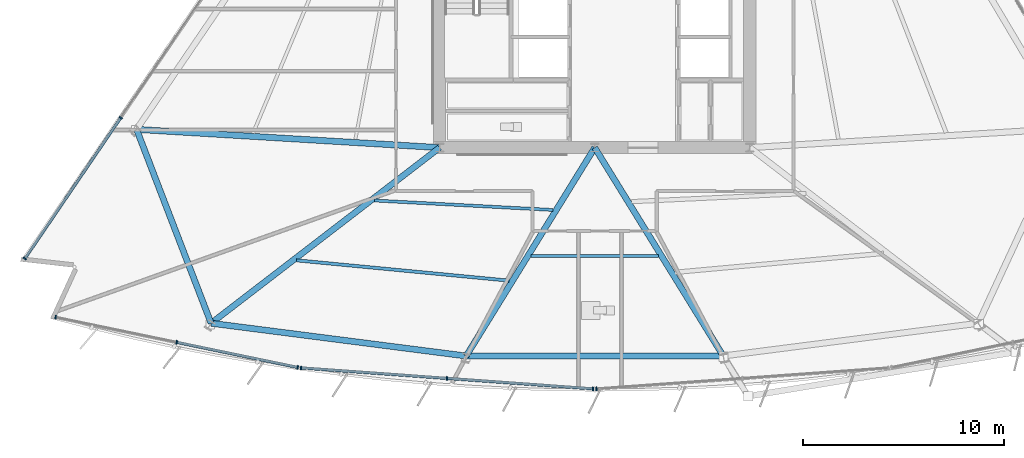
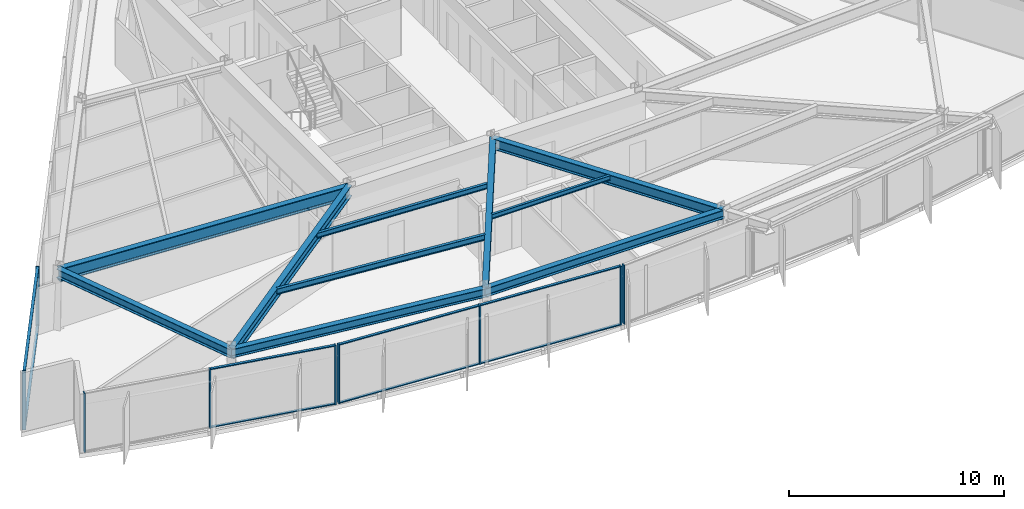
# One storey, part 2 of 15: 17 members, 10 beams, 4 elements without a shape of their own.
"""IFC4 building model written with IfcOpenShell, lengths in metres."""

from ifc_helpers import new_model, si_unit, direction, frame, origin, origin_2d, place, context, subcontext, project, spatial, rectangle, i_section, extrude, material, material_profile, profile_set, type_object, element, aggregate, save


model = new_model("IFC4")

# Units and contexts
model_context = context("Model", 3, precision=1e-05, world=origin(), true_north=direction((0.0, 1.0)))
body_context = subcontext(model_context, "Body", "Model", "MODEL_VIEW")
ifc_project = project(units=[si_unit("LENGTHUNIT", "METRE"), si_unit("AREAUNIT", "SQUARE_METRE"), si_unit("VOLUMEUNIT", "CUBIC_METRE"), si_unit("PLANEANGLEUNIT", "RADIAN"), si_unit("MASSUNIT", "GRAM", prefix="KILO")], contexts=[model_context])

# Site, building, storey
site_placement = place(None, origin())
site = spatial("IfcSite", under=ifc_project, at=site_placement, CompositionType="ELEMENT")
building_placement = place(site_placement, origin())
building = spatial("IfcBuilding", under=site, at=building_placement, Name="Savorim Split Tower", CompositionType="ELEMENT")
storey_placement = place(building_placement, frame((0.0, 0.0, 89.699951171875)))
storey = spatial("IfcBuildingStorey", under=building, at=storey_placement, Name="L23", CompositionType="ELEMENT", Elevation=89.699951171875)

# Beams
ifc_material_1 = material(Name="Steel S355", Category="steel")
ifc_material_profile_1 = material_profile(ifc_material_1, i_section(OverallWidth=0.135009765625, OverallDepth=0.27001953125, WebThickness=0.006591796875, FlangeThickness=0.01025390625, FilletRadius=0.014892578125, at=origin_2d()), Name="IPE 270")
ifc_profile_set_1 = profile_set([ifc_material_profile_1], Name="Steel S355")
beam_type_1 = type_object("IfcBeamType", Name="BM-JST-IPE270", PredefinedType="JOIST", material=ifc_profile_set_1)
beam_1_placement = place(storey_placement, frame((-3.15966796875, -14.779541015625, 3.215087890625), z_axis=(1.0, 0.0, 0.0), x_axis=(0.0, 1.0, 0.0)))
element("IfcBeam", 1, at=beam_1_placement, inside=storey, type_object=beam_type_1, Name="L23 Secondary Floor Joist JS-03", PredefinedType="JOIST", context=body_context, shape_type="SweptSolid", body=[
    extrude(i_section(OverallWidth=0.135009765625, OverallDepth=0.27001953125, WebThickness=0.006591796875, FlangeThickness=0.01025390625, FilletRadius=0.014892578125, at=origin_2d()), origin(), (0.0, 0.0, 1.0), 6.3193359375),
])
ifc_material_profile_2 = material_profile(ifc_material_1, i_section(OverallWidth=0.14990234375, OverallDepth=0.300048828125, WebThickness=0.007080078125, FlangeThickness=0.0107421875, FilletRadius=0.014892578125, at=origin_2d()), Name="IPE 300")
ifc_profile_set_2 = profile_set([ifc_material_profile_2], Name="Steel S355")
beam_type_2 = type_object("IfcBeamType", Name="BM-JST-IPE300", PredefinedType="JOIST", material=ifc_profile_set_2)
beam_2_placement = place(storey_placement, frame((-10.9443359375, -12.0244140625, 3.199951171875), z_axis=(0.998594726129, -0.052995971042, 0.0), x_axis=(0.052995971042, 0.998594726129, 0.0)))
element("IfcBeam", 2, at=beam_2_placement, inside=storey, type_object=beam_type_2, Name="L23 Secondary Floor Joist JS-02", PredefinedType="JOIST", context=body_context, shape_type="SweptSolid", body=[
    extrude(i_section(OverallWidth=0.14990234375, OverallDepth=0.300048828125, WebThickness=0.007080078125, FlangeThickness=0.0107421875, FilletRadius=0.014892578125, at=origin_2d()), origin(), (0.0, 0.0, 1.0), 8.8818359375),
])
ifc_material_profile_3 = material_profile(ifc_material_1, i_section(OverallWidth=0.159912109375, OverallDepth=0.330078125, WebThickness=0.007568359375, FlangeThickness=0.011474609375, FilletRadius=0.01806640625, at=origin_2d()), Name="IPE 330")
ifc_profile_set_3 = profile_set([ifc_material_profile_3], Name="Steel S355")
beam_type_3 = type_object("IfcBeamType", Name="BM-JST-IPE330", PredefinedType="JOIST", material=ifc_profile_set_3)
beam_3_placement = place(storey_placement, frame((-14.802978515625, -14.99560546875, 3.18505859375), z_axis=(0.995455555084, -0.095227295736, 0.0), x_axis=(0.095227295736, 0.995455555084, 0.0)))
element("IfcBeam", 3, at=beam_3_placement, inside=storey, type_object=beam_type_3, Name="L23 Secondary Floor Joist JS-01", PredefinedType="JOIST", context=body_context, shape_type="SweptSolid", body=[
    extrude(i_section(OverallWidth=0.159912109375, OverallDepth=0.330078125, WebThickness=0.007568359375, FlangeThickness=0.011474609375, FilletRadius=0.01806640625, at=origin_2d()), origin(), (0.0, 0.0, 1.0), 10.606201171875),
])
ifc_material_profile_4 = material_profile(ifc_material_1, i_section(OverallWidth=0.300048828125, OverallDepth=0.60009765625, WebThickness=0.015380859375, FlangeThickness=0.030029296875, FilletRadius=0.027099609375, at=origin_2d()), Name="HEB 600")
ifc_profile_set_4 = profile_set([ifc_material_profile_4], Name="Steel S355")
beam_type_4 = type_object("IfcBeamType", Name="BM-PRI-HEB600", PredefinedType="BEAM", material=ifc_profile_set_4)
beam_4_placement = place(storey_placement, frame((-19.04736328125, -18.119384765625, 3.050048828125), z_axis=(0.792937815813, 0.609302568725, 0.0), x_axis=(-0.609302568725, 0.792937815813, 0.0)))
element("IfcBeam", 4, at=beam_4_placement, inside=storey, type_object=beam_type_4, Name="L23 Primary Floor Girder RG-01", PredefinedType="BEAM", context=body_context, shape_type="SweptSolid", body=[
    extrude(i_section(OverallWidth=0.300048828125, OverallDepth=0.60009765625, WebThickness=0.015380859375, FlangeThickness=0.030029296875, FilletRadius=0.027099609375, at=origin_2d()), origin(), (0.0, 0.0, 1.0), 14.310546875),
])
for number, where, z_axis, x_axis, name in (
    (5, (-6.3837890625, -19.7451171875, 3.050048828125), (0.525141369676, 0.851015006833, 0.0), (-0.851015006833, 0.525141369676, 0.0), "L23 Primary Floor Girder RG-02"),
    (6, (6.3837890625, -19.7451171875, 3.050048828125), (-0.525141369676, 0.851015006833, 0.0), (-0.851015006833, -0.525141369676, 0.0), "L23 Primary Floor Girder RG-03"),
):
    element("IfcBeam", number, at=place(storey_placement, frame(where, z_axis=z_axis, x_axis=x_axis)), inside=storey, type_object=beam_type_4, Name=name, PredefinedType="BEAM", context=body_context, shape_type="SweptSolid", body=[
        extrude(i_section(OverallWidth=0.300048828125, OverallDepth=0.60009765625, WebThickness=0.015380859375, FlangeThickness=0.030029296875, FilletRadius=0.027099609375, at=origin_2d()), origin(), (0.0, 0.0, 1.0), 12.15625),
    ])
ifc_material_2 = material(Name="Steel S460", Category="steel")
ifc_material_profile_5 = material_profile(ifc_material_2, i_section(OverallWidth=0.303955078125, OverallDepth=0.716064453125, WebThickness=0.02099609375, FlangeThickness=0.0400390625, FilletRadius=0.027099609375, at=origin_2d()), Name="HE 700 M")
ifc_profile_set_5 = profile_set([ifc_material_profile_5], Name="Steel S460")
beam_type_5 = type_object("IfcBeamType", Name="BM-PRI-HEM700", PredefinedType="BEAM", material=ifc_profile_set_5)
beam_5_placement = place(storey_placement, frame((-22.74853515625, -8.492919921875, 2.991943359375), z_axis=(0.998188679702, -0.060161114637, 0.0), x_axis=(0.060161114637, 0.998188679702, 0.0)))
element("IfcBeam", 7, at=beam_5_placement, inside=storey, type_object=beam_type_5, Name="L23 Primary Floor Girder RG-10", PredefinedType="BEAM", context=body_context, shape_type="SweptSolid", body=[
    extrude(i_section(OverallWidth=0.303955078125, OverallDepth=0.716064453125, WebThickness=0.02099609375, FlangeThickness=0.0400390625, FilletRadius=0.027099609375, at=origin_2d()), origin(), (0.0, 0.0, 1.0), 15.075927734375),
])
ifc_material_profile_6 = material_profile(ifc_material_1, i_section(OverallWidth=0.300048828125, OverallDepth=0.489990234375, WebThickness=0.011962890625, FlangeThickness=0.02294921875, FilletRadius=0.027099609375, at=origin_2d()), Name="HEA 500")
ifc_profile_set_6 = profile_set([ifc_material_profile_6], Name="Steel S355")
beam_type_6 = type_object("IfcBeamType", Name="BM-SPN-HEA500", PredefinedType="SPANDREL", material=ifc_profile_set_6)
for number, where, z_axis, x_axis, name in (
    (8, (-19.04736328125, -18.119384765625, 3.10498046875), (0.991859943138, -0.127333629484, 0.0), (0.127333629484, 0.991859943138, 0.0), "L23 Perimeter Spandrel Beam 1"),
    (9, (-6.3837890625, -19.7451171875, 3.10498046875), (1.0, 0.0, 0.0), (0.0, 1.0, 0.0), "L23 Perimeter Spandrel Beam 2"),
):
    element("IfcBeam", number, at=place(storey_placement, frame(where, z_axis=z_axis, x_axis=x_axis)), inside=storey, type_object=beam_type_6, Name=name, PredefinedType="SPANDREL", context=body_context, shape_type="SweptSolid", body=[
        extrude(i_section(OverallWidth=0.300048828125, OverallDepth=0.489990234375, WebThickness=0.011962890625, FlangeThickness=0.02294921875, FilletRadius=0.027099609375, at=origin_2d()), origin(), (0.0, 0.0, 1.0), 12.767578125),
    ])
beam_6_placement = place(storey_placement, frame((-22.74853515625, -8.492919921875, 3.10498046875), z_axis=(0.358868037845, -0.933388306876, 0.0), x_axis=(0.933388306876, 0.358868037845, 0.0)))
element("IfcBeam", 10, at=beam_6_placement, inside=storey, type_object=beam_type_6, Name="L23 Perimeter Spandrel Beam 10", PredefinedType="SPANDREL", context=body_context, shape_type="SweptSolid", body=[
    extrude(i_section(OverallWidth=0.300048828125, OverallDepth=0.489990234375, WebThickness=0.011962890625, FlangeThickness=0.02294921875, FilletRadius=0.027099609375, at=origin_2d()), origin(), (0.0, 0.0, 1.0), 10.3134765625),
])

# Curtain wall, members
ifc_material_3 = material(Name="Dark Ceramic-Fritted Insulated Glass", Category="glass")
curtain_wall_type = type_object("IfcCurtainWallType", Name="CW-TWR-FRIT-A", PredefinedType="NOTDEFINED", material=ifc_material_3)
curtain_wall_1_placement = place(storey_placement, origin())
curtain_wall_1 = element("IfcCurtainWall", 11, at=curtain_wall_1_placement, inside=storey, type_object=curtain_wall_type, Name="L23 Curtain Wall CW-L23-SF1", PredefinedType="NOTDEFINED")
ifc_material_4 = material(Name="Charcoal Anodised Aluminium", Category="aluminium")
ifc_material_profile_7 = material_profile(ifc_material_4, rectangle(XDim=0.179931640625, YDim=0.06494140625, at=origin_2d()), Name="ALU-M 180x65")
ifc_profile_set_7 = profile_set([ifc_material_profile_7], Name="Charcoal Anodised Aluminium")
member_type_1 = type_object("IfcMemberType", Name="CWM-180x65", PredefinedType="MULLION", material=ifc_profile_set_7)
member_1_placement = place(storey_placement, frame((-26.76513671875, -17.81689453125, 0.0), z_axis=(0.0, 0.0, 1.0), x_axis=(0.203210153081, 0.979135145772, 0.0)))
member_1 = element("IfcMember", 12, at=member_1_placement, type_object=member_type_1, Name="CW-02 mullion 1", PredefinedType="MULLION", context=body_context, shape_type="SweptSolid", body=[
    extrude(rectangle(XDim=0.179931640625, YDim=0.06494140625, at=origin_2d()), origin(), (0.0, 0.0, 1.0), 3.35009765625),
])
member_2_placement = place(storey_placement, frame((-20.75634765625, -19.064208984375, 0.0), z_axis=(0.0, 0.0, 1.0), x_axis=(0.203210153081, 0.979135145772, 0.0)))
member_2 = element("IfcMember", 13, at=member_2_placement, type_object=member_type_1, Name="CW-02 mullion 2", PredefinedType="MULLION", context=body_context, shape_type="SweptSolid", body=[
    extrude(rectangle(XDim=0.179931640625, YDim=0.06494140625, at=origin_2d()), origin(), (0.0, 0.0, 1.0), 3.35009765625),
])
member_3_placement = place(storey_placement, frame((-14.747314453125, -20.311279296875, 0.0), z_axis=(0.0, 0.0, 1.0), x_axis=(0.203210153081, 0.979135145772, 0.0)))
member_3 = element("IfcMember", 14, at=member_3_placement, type_object=member_type_1, Name="CW-02 mullion 3", PredefinedType="MULLION", context=body_context, shape_type="SweptSolid", body=[
    extrude(rectangle(XDim=0.179931640625, YDim=0.06494140625, at=origin_2d()), origin(), (0.0, 0.0, 1.0), 3.35009765625),
])

curtain_wall_2_placement = place(storey_placement, origin())
curtain_wall_2 = element("IfcCurtainWall", 15, at=curtain_wall_2_placement, inside=storey, type_object=curtain_wall_type, Name="L23 Curtain Wall CW-L23-SF2", PredefinedType="NOTDEFINED")
member_4_placement = place(storey_placement, frame((-14.580322265625, -20.33447265625, 0.0), z_axis=(0.0, 0.0, 1.0), x_axis=(0.071560540796, 0.997436258114, 0.0)))
member_4 = element("IfcMember", 16, at=member_4_placement, type_object=member_type_1, Name="CW-02 mullion 1", PredefinedType="MULLION", context=body_context, shape_type="SweptSolid", body=[
    extrude(rectangle(XDim=0.179931640625, YDim=0.06494140625, at=origin_2d()), origin(), (0.0, 0.0, 1.0), 3.35009765625),
])
member_5_placement = place(storey_placement, frame((-7.33203125, -20.8544921875, 0.0), z_axis=(0.0, 0.0, 1.0), x_axis=(0.071560540796, 0.997436258114, 0.0)))
member_5 = element("IfcMember", 17, at=member_5_placement, type_object=member_type_1, Name="CW-02 mullion 2", PredefinedType="MULLION", context=body_context, shape_type="SweptSolid", body=[
    extrude(rectangle(XDim=0.179931640625, YDim=0.06494140625, at=origin_2d()), origin(), (0.0, 0.0, 1.0), 3.35009765625),
])
member_6_placement = place(storey_placement, frame((-0.083740234375, -21.37451171875, 0.0), z_axis=(0.0, 0.0, 1.0), x_axis=(0.071560540796, 0.997436258114, 0.0)))
member_6 = element("IfcMember", 18, at=member_6_placement, type_object=member_type_1, Name="CW-02 mullion 3", PredefinedType="MULLION", context=body_context, shape_type="SweptSolid", body=[
    extrude(rectangle(XDim=0.179931640625, YDim=0.06494140625, at=origin_2d()), origin(), (0.0, 0.0, 1.0), 3.35009765625),
])

# Curtain wall, member
curtain_wall_3_placement = place(storey_placement, origin())
curtain_wall_3 = element("IfcCurtainWall", 19, at=curtain_wall_3_placement, inside=storey, type_object=curtain_wall_type, Name="L23 Curtain Wall CW-L23-SF3", PredefinedType="NOTDEFINED")
member_7_placement = place(storey_placement, frame((0.083740234375, -21.37451171875, 0.0), z_axis=(0.0, 0.0, 1.0), x_axis=(-0.071560540796, 0.997436258114, 0.0)))
member_7 = element("IfcMember", 20, at=member_7_placement, type_object=member_type_1, Name="CW-02 mullion 1", PredefinedType="MULLION", context=body_context, shape_type="SweptSolid", body=[
    extrude(rectangle(XDim=0.179931640625, YDim=0.06494140625, at=origin_2d()), origin(), (0.0, 0.0, 1.0), 3.35009765625),
])
aggregate(curtain_wall_3, [member_7])

# Curtain wall, members
curtain_wall_4_placement = place(storey_placement, origin())
curtain_wall_4 = element("IfcCurtainWall", 21, at=curtain_wall_4_placement, inside=storey, type_object=curtain_wall_type, Name="L23 Curtain Wall CW-L23-WEST", PredefinedType="NOTDEFINED")
member_8_placement = place(storey_placement, frame((-23.539306640625, -7.917236328125, 0.0), z_axis=(0.0, 0.0, 1.0), x_axis=(0.826819383915, -0.562467515846, 0.0)))
member_8 = element("IfcMember", 22, at=member_8_placement, type_object=member_type_1, Name="CW-02 mullion 4", PredefinedType="MULLION", context=body_context, shape_type="SweptSolid", body=[
    extrude(rectangle(XDim=0.179931640625, YDim=0.06494140625, at=origin_2d()), origin(), (0.0, 0.0, 1.0), 3.35009765625),
])
member_9_placement = place(storey_placement, frame((-28.294921875, -14.908203125, 0.0), z_axis=(0.0, 0.0, 1.0), x_axis=(0.826819383915, -0.562467515846, 0.0)))
member_9 = element("IfcMember", 23, at=member_9_placement, type_object=member_type_1, Name="CW-02 mullion 5", PredefinedType="MULLION", context=body_context, shape_type="SweptSolid", body=[
    extrude(rectangle(XDim=0.179931640625, YDim=0.06494140625, at=origin_2d()), origin(), (0.0, 0.0, 1.0), 3.35009765625),
])

# Member
ifc_material_profile_8 = material_profile(ifc_material_4, rectangle(XDim=0.139892578125, YDim=0.054931640625, at=origin_2d()), Name="ALU-T 140x55")
ifc_profile_set_8 = profile_set([ifc_material_profile_8], Name="Charcoal Anodised Aluminium")
member_type_2 = type_object("IfcMemberType", Name="CWT-140x55", PredefinedType="USERDEFINED", material=ifc_profile_set_8)
member_10_placement = place(storey_placement, frame((-20.724365234375, -19.07080078125, 0.027587890625), z_axis=(0.97913534694, -0.203209183781, 0.0), x_axis=(0.203209183781, 0.97913534694, 0.0)))
member_10 = element("IfcMember", 24, at=member_10_placement, type_object=member_type_2, Name="CW-02 transom 2.1", ObjectType="TRANSOM", PredefinedType="USERDEFINED", context=body_context, shape_type="SweptSolid", body=[
    extrude(rectangle(XDim=0.139892578125, YDim=0.054931640625, at=origin_2d()), origin(), (0.0, 0.0, 1.0), 6.072021484375),
])

member_11_placement = place(storey_placement, frame((-20.724365234375, -19.07080078125, 3.322509765625), z_axis=(0.97913534694, -0.203209183781, 0.0), x_axis=(0.203209183781, 0.97913534694, 0.0)))
member_11 = element("IfcMember", 25, at=member_11_placement, type_object=member_type_2, Name="CW-02 transom 2.2", ObjectType="TRANSOM", PredefinedType="USERDEFINED", context=body_context, shape_type="SweptSolid", body=[
    extrude(rectangle(XDim=0.139892578125, YDim=0.054931640625, at=origin_2d()), origin(), (0.0, 0.0, 1.0), 6.072021484375),
])

aggregate(curtain_wall_1, [member_1, member_2, member_3, member_10, member_11])

member_12_placement = place(storey_placement, frame((-14.5478515625, -20.336669921875, 0.027587890625), z_axis=(0.997436107345, -0.071562642239, 0.0), x_axis=(0.071562642239, 0.997436107345, 0.0)))
member_12 = element("IfcMember", 26, at=member_12_placement, type_object=member_type_2, Name="CW-02 transom 1.1", ObjectType="TRANSOM", PredefinedType="USERDEFINED", context=body_context, shape_type="SweptSolid", body=[
    extrude(rectangle(XDim=0.139892578125, YDim=0.054931640625, at=origin_2d()), origin(), (0.0, 0.0, 1.0), 7.201904296875),
])

member_13_placement = place(storey_placement, frame((-14.5478515625, -20.336669921875, 3.322509765625), z_axis=(0.997436107345, -0.071562642239, 0.0), x_axis=(0.071562642239, 0.997436107345, 0.0)))
member_13 = element("IfcMember", 27, at=member_13_placement, type_object=member_type_2, Name="CW-02 transom 1.2", ObjectType="TRANSOM", PredefinedType="USERDEFINED", context=body_context, shape_type="SweptSolid", body=[
    extrude(rectangle(XDim=0.139892578125, YDim=0.054931640625, at=origin_2d()), origin(), (0.0, 0.0, 1.0), 7.201904296875),
])

member_14_placement = place(storey_placement, frame((-7.299560546875, -20.856689453125, 0.027587890625), z_axis=(0.997436107345, -0.071562642239, 0.0), x_axis=(0.071562642239, 0.997436107345, 0.0)))
member_14 = element("IfcMember", 28, at=member_14_placement, type_object=member_type_2, Name="CW-02 transom 2.1", ObjectType="TRANSOM", PredefinedType="USERDEFINED", context=body_context, shape_type="SweptSolid", body=[
    extrude(rectangle(XDim=0.139892578125, YDim=0.054931640625, at=origin_2d()), origin(), (0.0, 0.0, 1.0), 7.201904296875),
])

member_15_placement = place(storey_placement, frame((-7.299560546875, -20.856689453125, 3.322509765625), z_axis=(0.997436107345, -0.071562642239, 0.0), x_axis=(0.071562642239, 0.997436107345, 0.0)))
member_15 = element("IfcMember", 29, at=member_15_placement, type_object=member_type_2, Name="CW-02 transom 2.2", ObjectType="TRANSOM", PredefinedType="USERDEFINED", context=body_context, shape_type="SweptSolid", body=[
    extrude(rectangle(XDim=0.139892578125, YDim=0.054931640625, at=origin_2d()), origin(), (0.0, 0.0, 1.0), 7.201904296875),
])

aggregate(curtain_wall_2, [member_4, member_5, member_6, member_12, member_13, member_14, member_15])

member_16_placement = place(storey_placement, frame((-23.5576171875, -7.9443359375, 0.027587890625), z_axis=(-0.562478744219, -0.826811745382, 0.0), x_axis=(0.826811745382, -0.562478744219, 0.0)))
member_16 = element("IfcMember", 30, at=member_16_placement, type_object=member_type_2, Name="CW-02 transom 4.1", ObjectType="TRANSOM", PredefinedType="USERDEFINED", context=body_context, shape_type="SweptSolid", body=[
    extrude(rectangle(XDim=0.139892578125, YDim=0.054931640625, at=origin_2d()), origin(), (0.0, 0.0, 1.0), 8.39013671875),
])

member_17_placement = place(storey_placement, frame((-23.5576171875, -7.9443359375, 3.322509765625), z_axis=(-0.562478744219, -0.826811745382, 0.0), x_axis=(0.826811745382, -0.562478744219, 0.0)))
member_17 = element("IfcMember", 31, at=member_17_placement, type_object=member_type_2, Name="CW-02 transom 4.2", ObjectType="TRANSOM", PredefinedType="USERDEFINED", context=body_context, shape_type="SweptSolid", body=[
    extrude(rectangle(XDim=0.139892578125, YDim=0.054931640625, at=origin_2d()), origin(), (0.0, 0.0, 1.0), 8.39013671875),
])

aggregate(curtain_wall_4, [member_8, member_9, member_16, member_17])

save(model, "model.ifc")
